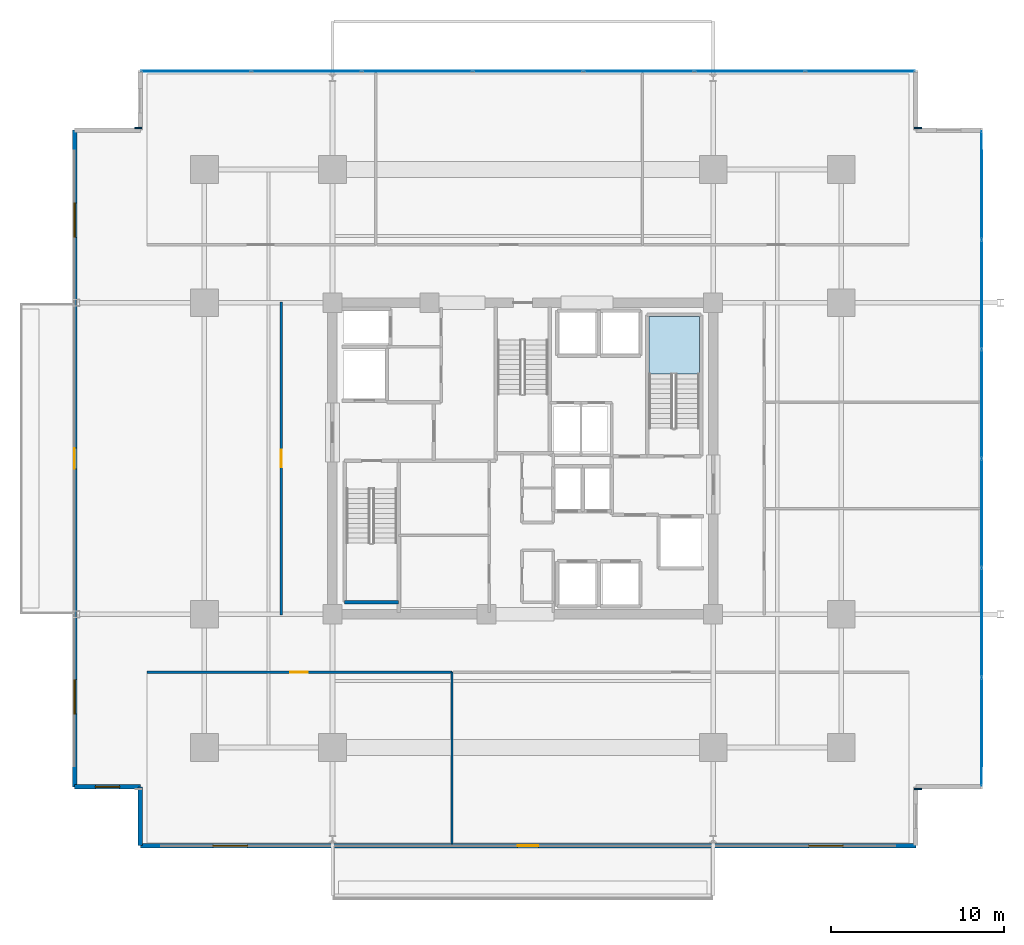
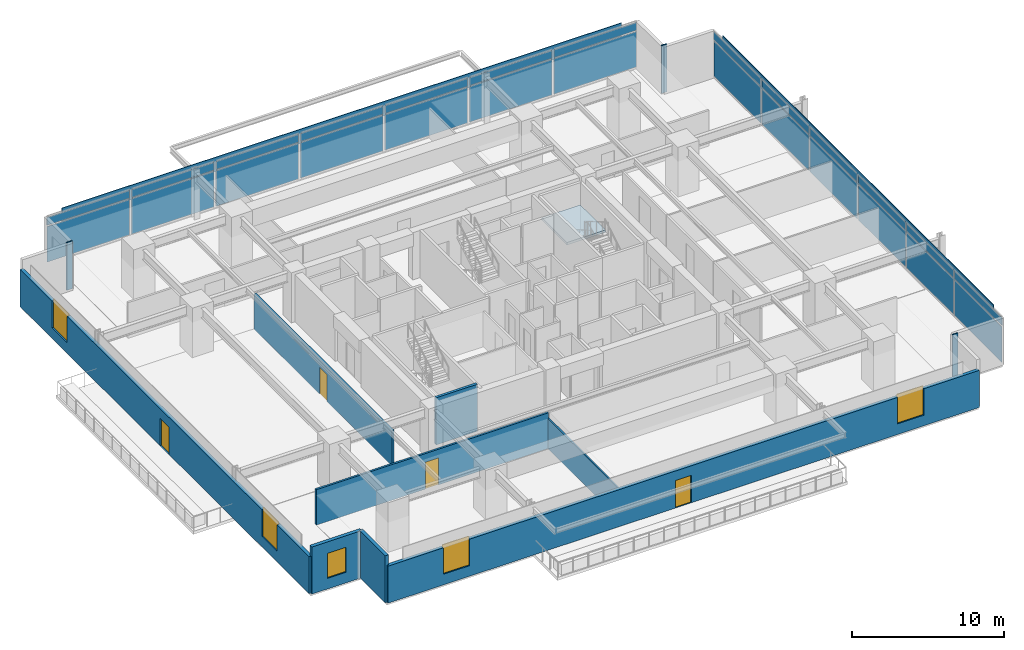
# One storey, part 15 of 24: 31 plates, 8 walls, 5 windows, 4 doors, 1 slab, 9 openings, 3 elements without a shape of their own.
"""IFC4 building model written with IfcOpenShell, lengths in metres."""

from ifc_helpers import new_model, si_unit, direction, frame, frame_2d, origin, origin_2d, place, context, subcontext, project, spatial, polyline, rectangle, outline, extrude, material, layer, layer_set, type_object, element, fill, aggregate, save


model = new_model("IFC4")

# Units and contexts
model_context = context("Model", 3, precision=1e-05, world=origin(), true_north=direction((0.0, 1.0)))
body_context = subcontext(model_context, "Body", "Model", "MODEL_VIEW")
ifc_project = project(units=[si_unit("LENGTHUNIT", "METRE"), si_unit("AREAUNIT", "SQUARE_METRE"), si_unit("VOLUMEUNIT", "CUBIC_METRE"), si_unit("PLANEANGLEUNIT", "RADIAN"), si_unit("MASSUNIT", "GRAM", prefix="KILO")], contexts=[model_context])

# Site, building, storey
site_placement = place(None, origin())
site = spatial("IfcSite", under=ifc_project, at=site_placement, CompositionType="ELEMENT")
building_placement = place(site_placement, origin())
building = spatial("IfcBuilding", under=site, at=building_placement, Name="Kovane Verandah Tower", CompositionType="ELEMENT")
storey_placement = place(building_placement, frame((0.0, 0.0, 144.39990234375)))
storey = spatial("IfcBuildingStorey", under=building, at=storey_placement, Name="L33", CompositionType="ELEMENT", Elevation=144.39990234375)

# Curtain wall, plates
ifc_material_1 = material(Name="Champagne Anodised Aluminium Frame with Low-E Clear Laminated Glass", Category="aluminium")
curtain_wall_type = type_object("IfcCurtainWallType", Name="CW-SYS-03-MID", PredefinedType="NOTDEFINED", material=ifc_material_1)
curtain_wall_1_placement = place(storey_placement, origin())
curtain_wall_1 = element("IfcCurtainWall", 1, at=curtain_wall_1_placement, inside=storey, type_object=curtain_wall_type, Name="L33 E Unitised Curtain Wall", PredefinedType="NOTDEFINED")
ifc_material_2 = material(Name="Pale Champagne Anodised Aluminium Insulated Spandrel", Category="aluminium")
ifc_layer_1 = layer(ifc_material_2, 0.0400390625)
ifc_layer_set_1 = layer_set([ifc_layer_1], Name="Pale Champagne Anodised Aluminium Insulated Spandrel")
plate_type_1 = type_object("IfcPlateType", Name="PL-CW-SPD-40", PredefinedType="SHEET", material=ifc_layer_set_1)
plate_1_placement = place(storey_placement, frame((66.513916015625, 11.6875, 3.044921875), z_axis=(0.0, 0.0, 1.0), x_axis=(0.0, 1.0, 0.0)))
plate_1 = element("IfcPlate", 2, at=plate_1_placement, type_object=plate_type_1, Name="L33 E Unitised Curtain Wall Spandrel Panel 1", PredefinedType="SHEET", context=body_context, shape_type="SweptSolid", body=[
    extrude(rectangle(XDim=6.18505859375, YDim=0.0400390625, at=origin_2d()), origin(), (0.0, 0.0, 1.0), 0.639892578125),
])
plate_2_placement = place(storey_placement, frame((66.513916015625, 18.012451171875, 3.044921875), z_axis=(0.0, 0.0, 1.0), x_axis=(0.0, 1.0, 0.0)))
plate_2 = element("IfcPlate", 3, at=plate_2_placement, type_object=plate_type_1, Name="L33 E Unitised Curtain Wall Spandrel Panel 2", PredefinedType="SHEET", context=body_context, shape_type="SweptSolid", body=[
    extrude(rectangle(XDim=6.18505859375, YDim=0.0400390625, at=origin_2d()), origin(), (0.0, 0.0, 1.0), 0.639892578125),
])
plate_3_placement = place(storey_placement, frame((66.513916015625, 24.33740234375, 3.044921875), z_axis=(0.0, 0.0, 1.0), x_axis=(0.0, 1.0, 0.0)))
plate_3 = element("IfcPlate", 4, at=plate_3_placement, type_object=plate_type_1, Name="L33 E Unitised Curtain Wall Spandrel Panel 3", PredefinedType="SHEET", context=body_context, shape_type="SweptSolid", body=[
    extrude(rectangle(XDim=6.18505859375, YDim=0.0400390625, at=origin_2d()), origin(), (0.0, 0.0, 1.0), 0.639892578125),
])
plate_4_placement = place(storey_placement, frame((66.513916015625, 30.66259765625, 3.044921875), z_axis=(0.0, 0.0, 1.0), x_axis=(0.0, 1.0, 0.0)))
plate_4 = element("IfcPlate", 5, at=plate_4_placement, type_object=plate_type_1, Name="L33 E Unitised Curtain Wall Spandrel Panel 4", PredefinedType="SHEET", context=body_context, shape_type="SweptSolid", body=[
    extrude(rectangle(XDim=6.18505859375, YDim=0.0400390625, at=origin_2d()), origin(), (0.0, 0.0, 1.0), 0.639892578125),
])
plate_5_placement = place(storey_placement, frame((66.513916015625, 36.987548828125, 3.044921875), z_axis=(0.0, 0.0, 1.0), x_axis=(0.0, 1.0, 0.0)))
plate_5 = element("IfcPlate", 6, at=plate_5_placement, type_object=plate_type_1, Name="L33 E Unitised Curtain Wall Spandrel Panel 5", PredefinedType="SHEET", context=body_context, shape_type="SweptSolid", body=[
    extrude(rectangle(XDim=6.18505859375, YDim=0.0400390625, at=origin_2d()), origin(), (0.0, 0.0, 1.0), 0.639892578125),
])
plate_6_placement = place(storey_placement, frame((66.513916015625, 43.3125, 3.044921875), z_axis=(0.0, 0.0, 1.0), x_axis=(0.0, 1.0, 0.0)))
plate_6 = element("IfcPlate", 7, at=plate_6_placement, type_object=plate_type_1, Name="L33 E Unitised Curtain Wall Spandrel Panel 6", PredefinedType="SHEET", context=body_context, shape_type="SweptSolid", body=[
    extrude(rectangle(XDim=6.18505859375, YDim=0.0400390625, at=origin_2d()), origin(), (0.0, 0.0, 1.0), 0.639892578125),
])

curtain_wall_2_placement = place(storey_placement, origin())
curtain_wall_2 = element("IfcCurtainWall", 8, at=curtain_wall_2_placement, inside=storey, type_object=curtain_wall_type, Name="L33 N Unitised Curtain Wall", PredefinedType="NOTDEFINED")
plate_7_placement = place(storey_placement, frame((59.51220703125, 49.875, 3.044921875), z_axis=(0.0, 0.0, 1.0), x_axis=(-1.0, 0.0, 0.0)))
plate_7 = element("IfcPlate", 9, at=plate_7_placement, type_object=plate_type_1, Name="L33 N Unitised Curtain Wall Spandrel Panel 1", PredefinedType="SHEET", context=body_context, shape_type="SweptSolid", body=[
    extrude(rectangle(XDim=6.262939453125, YDim=0.0400390625, at=origin_2d()), origin(), (0.0, 0.0, 1.0), 0.639892578125),
])
plate_8_placement = place(storey_placement, frame((53.109375, 49.875, 3.044921875), z_axis=(0.0, 0.0, 1.0), x_axis=(-1.0, 0.0, 0.0)))
plate_8 = element("IfcPlate", 10, at=plate_8_placement, type_object=plate_type_1, Name="L33 N Unitised Curtain Wall Spandrel Panel 2", PredefinedType="SHEET", context=body_context, shape_type="SweptSolid", body=[
    extrude(rectangle(XDim=6.262939453125, YDim=0.0400390625, at=origin_2d()), origin(), (0.0, 0.0, 1.0), 0.639892578125),
])
plate_9_placement = place(storey_placement, frame((46.706298828125, 49.875, 3.044921875), z_axis=(0.0, 0.0, 1.0), x_axis=(-1.0, 0.0, 0.0)))
plate_9 = element("IfcPlate", 11, at=plate_9_placement, type_object=plate_type_1, Name="L33 N Unitised Curtain Wall Spandrel Panel 3", PredefinedType="SHEET", context=body_context, shape_type="SweptSolid", body=[
    extrude(rectangle(XDim=6.262939453125, YDim=0.0400390625, at=origin_2d()), origin(), (0.0, 0.0, 1.0), 0.639892578125),
])
plate_10_placement = place(storey_placement, frame((40.303466796875, 49.875, 3.044921875), z_axis=(0.0, 0.0, 1.0), x_axis=(-1.0, 0.0, 0.0)))
plate_10 = element("IfcPlate", 12, at=plate_10_placement, type_object=plate_type_1, Name="L33 N Unitised Curtain Wall Spandrel Panel 4", PredefinedType="SHEET", context=body_context, shape_type="SweptSolid", body=[
    extrude(rectangle(XDim=6.262939453125, YDim=0.0400390625, at=origin_2d()), origin(), (0.0, 0.0, 1.0), 0.639892578125),
])
plate_11_placement = place(storey_placement, frame((33.900390625, 49.875, 3.044921875), z_axis=(0.0, 0.0, 1.0), x_axis=(-1.0, 0.0, 0.0)))
plate_11 = element("IfcPlate", 13, at=plate_11_placement, type_object=plate_type_1, Name="L33 N Unitised Curtain Wall Spandrel Panel 5", PredefinedType="SHEET", context=body_context, shape_type="SweptSolid", body=[
    extrude(rectangle(XDim=6.262939453125, YDim=0.0400390625, at=origin_2d()), origin(), (0.0, 0.0, 1.0), 0.639892578125),
])
plate_12_placement = place(storey_placement, frame((27.497314453125, 49.875, 3.044921875), z_axis=(0.0, 0.0, 1.0), x_axis=(-1.0, 0.0, 0.0)))
plate_12 = element("IfcPlate", 14, at=plate_12_placement, type_object=plate_type_1, Name="L33 N Unitised Curtain Wall Spandrel Panel 6", PredefinedType="SHEET", context=body_context, shape_type="SweptSolid", body=[
    extrude(rectangle(XDim=6.262939453125, YDim=0.0400390625, at=origin_2d()), origin(), (0.0, 0.0, 1.0), 0.639892578125),
])
plate_13_placement = place(storey_placement, frame((21.094482421875, 49.875, 3.044921875), z_axis=(0.0, 0.0, 1.0), x_axis=(-1.0, 0.0, 0.0)))
plate_13 = element("IfcPlate", 15, at=plate_13_placement, type_object=plate_type_1, Name="L33 N Unitised Curtain Wall Spandrel Panel 7", PredefinedType="SHEET", context=body_context, shape_type="SweptSolid", body=[
    extrude(rectangle(XDim=6.262939453125, YDim=0.0400390625, at=origin_2d()), origin(), (0.0, 0.0, 1.0), 0.639892578125),
])

# Plate
ifc_material_3 = material(Name="Clear Low-E Laminated Double Glazing", Category="glass")
ifc_layer_2 = layer(ifc_material_3, 0.031982421875)
ifc_layer_set_2 = layer_set([ifc_layer_2], Name="Clear Low-E Laminated Double Glazing")
plate_type_2 = type_object("IfcPlateType", Name="PL-CW-VIS-32", PredefinedType="CURTAIN_PANEL", material=ifc_layer_set_2)
plate_14_placement = place(storey_placement, frame((66.513916015625, 11.6875, 0.10009765625), z_axis=(0.0, 0.0, 1.0), x_axis=(0.0, 1.0, 0.0)))
plate_14 = element("IfcPlate", 16, at=plate_14_placement, type_object=plate_type_2, Name="L33 E Unitised Curtain Wall Vision Panel 1", PredefinedType="CURTAIN_PANEL", context=body_context, shape_type="SweptSolid", body=[
    extrude(rectangle(XDim=6.18505859375, YDim=0.031982421875, at=origin_2d()), origin(), (0.0, 0.0, 1.0), 2.844970703125),
])

plate_15_placement = place(storey_placement, frame((66.513916015625, 18.012451171875, 0.10009765625), z_axis=(0.0, 0.0, 1.0), x_axis=(0.0, 1.0, 0.0)))
plate_15 = element("IfcPlate", 17, at=plate_15_placement, type_object=plate_type_2, Name="L33 E Unitised Curtain Wall Vision Panel 2", PredefinedType="CURTAIN_PANEL", context=body_context, shape_type="SweptSolid", body=[
    extrude(rectangle(XDim=6.18505859375, YDim=0.031982421875, at=origin_2d()), origin(), (0.0, 0.0, 1.0), 2.844970703125),
])

plate_16_placement = place(storey_placement, frame((66.513916015625, 24.33740234375, 0.10009765625), z_axis=(0.0, 0.0, 1.0), x_axis=(0.0, 1.0, 0.0)))
plate_16 = element("IfcPlate", 18, at=plate_16_placement, type_object=plate_type_2, Name="L33 E Unitised Curtain Wall Vision Panel 3", PredefinedType="CURTAIN_PANEL", context=body_context, shape_type="SweptSolid", body=[
    extrude(rectangle(XDim=6.18505859375, YDim=0.031982421875, at=origin_2d()), origin(), (0.0, 0.0, 1.0), 2.844970703125),
])

plate_17_placement = place(storey_placement, frame((66.513916015625, 30.66259765625, 0.10009765625), z_axis=(0.0, 0.0, 1.0), x_axis=(0.0, 1.0, 0.0)))
plate_17 = element("IfcPlate", 19, at=plate_17_placement, type_object=plate_type_2, Name="L33 E Unitised Curtain Wall Vision Panel 4", PredefinedType="CURTAIN_PANEL", context=body_context, shape_type="SweptSolid", body=[
    extrude(rectangle(XDim=6.18505859375, YDim=0.031982421875, at=origin_2d()), origin(), (0.0, 0.0, 1.0), 2.844970703125),
])

plate_18_placement = place(storey_placement, frame((66.513916015625, 36.987548828125, 0.10009765625), z_axis=(0.0, 0.0, 1.0), x_axis=(0.0, 1.0, 0.0)))
plate_18 = element("IfcPlate", 20, at=plate_18_placement, type_object=plate_type_2, Name="L33 E Unitised Curtain Wall Vision Panel 5", PredefinedType="CURTAIN_PANEL", context=body_context, shape_type="SweptSolid", body=[
    extrude(rectangle(XDim=6.18505859375, YDim=0.031982421875, at=origin_2d()), origin(), (0.0, 0.0, 1.0), 2.844970703125),
])

plate_19_placement = place(storey_placement, frame((66.513916015625, 43.3125, 0.10009765625), z_axis=(0.0, 0.0, 1.0), x_axis=(0.0, 1.0, 0.0)))
plate_19 = element("IfcPlate", 21, at=plate_19_placement, type_object=plate_type_2, Name="L33 E Unitised Curtain Wall Vision Panel 6", PredefinedType="CURTAIN_PANEL", context=body_context, shape_type="SweptSolid", body=[
    extrude(rectangle(XDim=6.18505859375, YDim=0.031982421875, at=origin_2d()), origin(), (0.0, 0.0, 1.0), 2.844970703125),
])

aggregate(curtain_wall_1, [plate_14, plate_1, plate_15, plate_2, plate_16, plate_3, plate_17, plate_4, plate_18, plate_5, plate_19, plate_6])

plate_20_placement = place(storey_placement, frame((59.51220703125, 49.875, 0.10009765625), z_axis=(0.0, 0.0, 1.0), x_axis=(-1.0, 0.0, 0.0)))
plate_20 = element("IfcPlate", 22, at=plate_20_placement, type_object=plate_type_2, Name="L33 N Unitised Curtain Wall Vision Panel 1", PredefinedType="CURTAIN_PANEL", context=body_context, shape_type="SweptSolid", body=[
    extrude(rectangle(XDim=6.262939453125, YDim=0.031982421875, at=origin_2d()), origin(), (0.0, 0.0, 1.0), 2.844970703125),
])

plate_21_placement = place(storey_placement, frame((53.109375, 49.875, 0.10009765625), z_axis=(0.0, 0.0, 1.0), x_axis=(-1.0, 0.0, 0.0)))
plate_21 = element("IfcPlate", 23, at=plate_21_placement, type_object=plate_type_2, Name="L33 N Unitised Curtain Wall Vision Panel 2", PredefinedType="CURTAIN_PANEL", context=body_context, shape_type="SweptSolid", body=[
    extrude(rectangle(XDim=6.262939453125, YDim=0.031982421875, at=origin_2d()), origin(), (0.0, 0.0, 1.0), 2.844970703125),
])

plate_22_placement = place(storey_placement, frame((46.706298828125, 49.875, 0.10009765625), z_axis=(0.0, 0.0, 1.0), x_axis=(-1.0, 0.0, 0.0)))
plate_22 = element("IfcPlate", 24, at=plate_22_placement, type_object=plate_type_2, Name="L33 N Unitised Curtain Wall Vision Panel 3", PredefinedType="CURTAIN_PANEL", context=body_context, shape_type="SweptSolid", body=[
    extrude(rectangle(XDim=6.262939453125, YDim=0.031982421875, at=origin_2d()), origin(), (0.0, 0.0, 1.0), 2.844970703125),
])

plate_23_placement = place(storey_placement, frame((40.303466796875, 49.875, 0.10009765625), z_axis=(0.0, 0.0, 1.0), x_axis=(-1.0, 0.0, 0.0)))
plate_23 = element("IfcPlate", 25, at=plate_23_placement, type_object=plate_type_2, Name="L33 N Unitised Curtain Wall Vision Panel 4", PredefinedType="CURTAIN_PANEL", context=body_context, shape_type="SweptSolid", body=[
    extrude(rectangle(XDim=6.262939453125, YDim=0.031982421875, at=origin_2d()), origin(), (0.0, 0.0, 1.0), 2.844970703125),
])

plate_24_placement = place(storey_placement, frame((33.900390625, 49.875, 0.10009765625), z_axis=(0.0, 0.0, 1.0), x_axis=(-1.0, 0.0, 0.0)))
plate_24 = element("IfcPlate", 26, at=plate_24_placement, type_object=plate_type_2, Name="L33 N Unitised Curtain Wall Vision Panel 5", PredefinedType="CURTAIN_PANEL", context=body_context, shape_type="SweptSolid", body=[
    extrude(rectangle(XDim=6.262939453125, YDim=0.031982421875, at=origin_2d()), origin(), (0.0, 0.0, 1.0), 2.844970703125),
])

plate_25_placement = place(storey_placement, frame((27.497314453125, 49.875, 0.10009765625), z_axis=(0.0, 0.0, 1.0), x_axis=(-1.0, 0.0, 0.0)))
plate_25 = element("IfcPlate", 27, at=plate_25_placement, type_object=plate_type_2, Name="L33 N Unitised Curtain Wall Vision Panel 6", PredefinedType="CURTAIN_PANEL", context=body_context, shape_type="SweptSolid", body=[
    extrude(rectangle(XDim=6.262939453125, YDim=0.031982421875, at=origin_2d()), origin(), (0.0, 0.0, 1.0), 2.844970703125),
])

plate_26_placement = place(storey_placement, frame((21.094482421875, 49.875, 0.10009765625), z_axis=(0.0, 0.0, 1.0), x_axis=(-1.0, 0.0, 0.0)))
plate_26 = element("IfcPlate", 28, at=plate_26_placement, type_object=plate_type_2, Name="L33 N Unitised Curtain Wall Vision Panel 7", PredefinedType="CURTAIN_PANEL", context=body_context, shape_type="SweptSolid", body=[
    extrude(rectangle(XDim=6.262939453125, YDim=0.031982421875, at=origin_2d()), origin(), (0.0, 0.0, 1.0), 2.844970703125),
])

aggregate(curtain_wall_2, [plate_20, plate_7, plate_21, plate_8, plate_22, plate_9, plate_23, plate_10, plate_24, plate_11, plate_25, plate_12, plate_26, plate_13])

# Plates
ifc_material_4 = material(Name="Timber-Toned Subtropical Aluminium Vertical Blade", Category="wood")
ifc_layer_3 = layer(ifc_material_4, 0.090087890625)
ifc_layer_set_3 = layer_set([ifc_layer_3], Name="Timber-Toned Subtropical Aluminium Vertical Blade")
plate_type_3 = type_object("IfcPlateType", Name="PL-FIN-90", PredefinedType="USERDEFINED", material=ifc_layer_set_3)
for number, where, z_axis, x_axis, name in (
    (29, (62.833740234375, 8.405029296875, -0.019775390625), (0.0, 0.0, 1.0), (1.0, 0.0, 0.0), "L33 SE Timber-Toned Vertical Corner Fin"),
    (30, (62.833740234375, 46.594970703125, -0.019775390625), (0.0, 0.0, 1.0), (1.0, 0.0, 0.0), "L33 NE Timber-Toned Vertical Corner Fin"),
    (31, (17.77294921875, 46.594970703125, -0.019775390625), (0.0, 0.0, 1.0), (1.0, 0.0, 0.0), "L33 NW Timber-Toned Vertical Corner Fin"),
):
    element("IfcPlate", number, at=place(storey_placement, frame(where, z_axis=z_axis, x_axis=x_axis)), inside=storey, type_object=plate_type_3, Name=name, ObjectType="FIN", PredefinedType="USERDEFINED", context=body_context, shape_type="SweptSolid", body=[
        extrude(rectangle(XDim=0.419921875, YDim=0.090087890625, at=origin_2d()), origin(), (0.0, 0.0, 1.0), 3.8349609375),
    ])
ifc_material_5 = material(Name="Perforated Pale Champagne Anodised Aluminium Solar Screen", Category="aluminium")
ifc_layer_4 = layer(ifc_material_5, 0.050048828125)
ifc_layer_set_4 = layer_set([ifc_layer_4], Name="Perforated Pale Champagne Anodised Aluminium Solar Screen")
plate_type_4 = type_object("IfcPlateType", Name="PL-SCREEN-50", PredefinedType="USERDEFINED", material=ifc_layer_set_4)
plate_27_placement = place(storey_placement, frame((66.52880859375, 27.5, 2.875244140625), z_axis=(0.0, 0.0, 1.0), x_axis=(0.0, 1.0, 0.0)))
element("IfcPlate", 32, at=plate_27_placement, inside=storey, type_object=plate_type_4, Name="L33 E Perforated Champagne-Gold Solar Screen", ObjectType="SCREEN", PredefinedType="USERDEFINED", context=body_context, shape_type="SweptSolid", body=[
    extrude(rectangle(XDim=35.550048828125, YDim=0.050048828125, at=origin_2d()), origin(), (0.0, 0.0, 1.0), 1.14990234375),
])
plate_28_placement = place(storey_placement, frame((40.303466796875, 49.889892578125, 2.875244140625), z_axis=(0.0, 0.0, 1.0), x_axis=(-1.0, 0.0, 0.0)))
element("IfcPlate", 33, at=plate_28_placement, inside=storey, type_object=plate_type_4, Name="L33 N Perforated Champagne-Gold Solar Screen", ObjectType="SCREEN", PredefinedType="USERDEFINED", context=body_context, shape_type="SweptSolid", body=[
    extrude(rectangle(XDim=42.4208984375, YDim=0.050048828125, at=origin_2d()), origin(), (0.0, 0.0, 1.0), 1.14990234375),
])

# Stair, slab
ifc_material_6 = material(Name="Concrete C45/55", Category="concrete")
stair_type = type_object("IfcStairType", Name="ST-CORE-1380", PredefinedType="HALF_TURN_STAIR", material=ifc_material_6)
stair_placement = place(storey_placement, origin())
stair = element("IfcStair", 34, at=stair_placement, inside=storey, type_object=stair_type, Name="L33 Exit Stair ST-02", PredefinedType="HALF_TURN_STAIR")
ifc_layer_5 = layer(ifc_material_6, 0.199951171875)
ifc_layer_set_5 = layer_set([ifc_layer_5], Name="Concrete C45/55")
slab_type = type_object("IfcSlabType", Name="SL-LAND-200", PredefinedType="LANDING", material=ifc_layer_set_5)
slab_placement = place(storey_placement, frame((0.0, 0.0, 1.800048828125)))
slab = element("IfcSlab", 35, at=slab_placement, type_object=slab_type, Name="ST-02 landing 1", PredefinedType="LANDING", context=body_context, shape_type="SweptSolid", body=[
    extrude(outline(polyline([(50.199951171875, 32.385009765625), (50.199951171875, 35.699951171875), (47.280029296875, 35.699951171875), (47.280029296875, 32.385009765625), (50.199951171875, 32.385009765625)])), origin(), (0.0, 0.0, 1.0), 0.199951171875),
])
aggregate(stair, [slab])

# Wall, opening, door
ifc_material_7 = material(Name="Fire-Rated Gypsum Stud Partition", Category="gypsum")
ifc_layer_6 = layer(ifc_material_7, 0.14990234375)
ifc_layer_set_6 = layer_set([ifc_layer_6], Name="Fire-Rated Gypsum Stud Partition")
wall_type_1 = type_object("IfcWallType", Name="WL-COR-150", PredefinedType="PARTITIONING", material=ifc_layer_set_6)
wall_1_placement = place(storey_placement, frame((18.29296875, 15.14990234375, 0.0), z_axis=(0.0, 0.0, 1.0), x_axis=(1.0, 0.0, 0.0)))
wall_1 = element("IfcWall", 36, at=wall_1_placement, inside=storey, type_object=wall_type_1, Name="L33 Breakout Pantry S1 Corridor Partition", PredefinedType="PARTITIONING", context=body_context, shape_type="SweptSolid", body=[
    extrude(rectangle(XDim=17.6083984375, YDim=0.14990234375, at=frame_2d((8.80419921875, 0.0))), origin(), (0.0, 0.0, 1.0), 2.85009765625),
])
opening_1_placement = place(wall_1_placement, frame((8.269287109375, 0.0, 0.0)))
opening_1 = element("IfcOpeningElement", 37, at=opening_1_placement, cuts=wall_1, Name="Opening DR-L33-022", PredefinedType="OPENING", context=body_context, shape_type="SweptSolid", body=[
    extrude(rectangle(XDim=1.0, YDim=2.14990234375, at=frame_2d((0.5, 1.074951171875))), frame((0.0, 0.074951171875, 0.0), z_axis=(0.0, -1.0, 0.0), x_axis=(1.0, 0.0, 0.0)), (0.0, 0.0, 1.0), 0.14990234375),
])
ifc_material_8 = material(Name="FSC Spotted-Gum Timber Fire-Rated Office Door", Category="wood")
door_type_1 = type_object("IfcDoorType", Name="DR-OFF-1000", OperationType="SINGLE_SWING_LEFT", PredefinedType="DOOR", material=ifc_material_8)
door_1_placement = place(opening_1_placement, origin())
door_1 = element("IfcDoor", 38, at=door_1_placement, inside=storey, type_object=door_type_1, Name="L33 Breakout Pantry S1 Entrance Door", OperationType="SINGLE_SWING_LEFT", OverallHeight=2.14990234375, OverallWidth=1.0, PredefinedType="DOOR", context=body_context, shape_type="SweptSolid", body=[
    extrude(rectangle(XDim=1.0, YDim=2.14990234375, at=frame_2d((0.5, 1.074951171875))), frame((0.0, 0.02490234375, 0.0), z_axis=(0.0, -1.0, 0.0), x_axis=(1.0, 0.0, 0.0)), (0.0, 0.0, 1.0), 0.050048828125),
])
fill(opening_1, door_1)

wall_2_placement = place(storey_placement, frame((26.050048828125, 18.449951171875, 0.0), z_axis=(0.0, 0.0, 1.0), x_axis=(0.0, 1.0, 0.0)))
wall_2 = element("IfcWall", 39, at=wall_2_placement, inside=storey, type_object=wall_type_1, Name="L33 Document and Print Room W1 Corridor Partition", PredefinedType="PARTITIONING", context=body_context, shape_type="SweptSolid", body=[
    extrude(rectangle(XDim=18.10009765625, YDim=0.14990234375, at=frame_2d((9.050048828125, 0.0))), origin(), (0.0, 0.0, 1.0), 2.85009765625),
])
opening_2_placement = place(wall_2_placement, frame((8.550048828125, 0.0, 0.0)))
opening_2 = element("IfcOpeningElement", 40, at=opening_2_placement, cuts=wall_2, Name="Opening DR-L33-028", PredefinedType="OPENING", context=body_context, shape_type="SweptSolid", body=[
    extrude(rectangle(XDim=1.0, YDim=2.14990234375, at=frame_2d((0.5, 1.074951171875))), frame((0.0, 0.074951171875, 0.0), z_axis=(0.0, -1.0, 0.0), x_axis=(1.0, 0.0, 0.0)), (0.0, 0.0, 1.0), 0.14990234375),
])
door_2_placement = place(opening_2_placement, origin())
door_2 = element("IfcDoor", 41, at=door_2_placement, inside=storey, type_object=door_type_1, Name="L33 Document and Print Room W1 Entrance Door", OperationType="SINGLE_SWING_LEFT", OverallHeight=2.14990234375, OverallWidth=1.0, PredefinedType="DOOR", context=body_context, shape_type="SweptSolid", body=[
    extrude(rectangle(XDim=1.0, YDim=2.14990234375, at=frame_2d((0.5, 1.074951171875))), frame((0.0, 0.02490234375, 0.0), z_axis=(0.0, -1.0, 0.0), x_axis=(1.0, 0.0, 0.0)), (0.0, 0.0, 1.0), 0.050048828125),
])
fill(opening_2, door_2)

# Walls
ifc_material_9 = material(Name="Acoustic Fire-Rated Gypsum Partition", Category="gypsum")
ifc_layer_7 = layer(ifc_material_9, 0.1201171875)
ifc_layer_set_7 = layer_set([ifc_layer_7], Name="Acoustic Fire-Rated Gypsum Partition")
wall_type_2 = type_object("IfcWallType", Name="WL-PART-120", PredefinedType="PARTITIONING", material=ifc_layer_set_7)
wall_3_placement = place(storey_placement, frame((35.9013671875, 5.22509765625, 0.0), z_axis=(0.0, 0.0, 1.0), x_axis=(0.0, 1.0, 0.0)))
element("IfcWall", 42, at=wall_3_placement, inside=storey, type_object=wall_type_2, Name="L33 Breakout Pantry S1 Dividing Partition", PredefinedType="PARTITIONING", context=body_context, shape_type="SweptSolid", body=[
    extrude(rectangle(XDim=9.9248046875, YDim=0.1201171875, at=frame_2d((4.96240234375, 0.0))), origin(), (0.0, 0.0, 1.0), 2.405029296875),
])
ifc_layer_8 = layer(ifc_material_6, 0.199951171875)
ifc_layer_set_8 = layer_set([ifc_layer_8], Name="Concrete C45/55")
wall_type_3 = type_object("IfcWallType", Name="WL-SHAFT-200", PredefinedType="SOLIDWALL", material=ifc_layer_set_8)
wall_4_placement = place(storey_placement, frame((29.699951171875, 19.199951171875, 0.0), z_axis=(0.0, 0.0, 1.0), x_axis=(1.0, 0.0, 0.0)))
element("IfcWall", 43, at=wall_4_placement, inside=storey, type_object=wall_type_3, Name="W-L33-ST01-S", PredefinedType="SOLIDWALL", context=body_context, shape_type="SweptSolid", body=[
    extrude(rectangle(XDim=3.1201171875, YDim=0.199951171875, at=frame_2d((1.56005859375, 0.0))), origin(), (0.0, 0.0, 1.0), 3.775146484375),
])

# Wall, openings, door, windows
ifc_material_10 = material(Name="Concrete C45/55 Insulated Spandrel Wall", Category="concrete")
ifc_layer_9 = layer(ifc_material_10, 0.260009765625)
ifc_layer_set_9 = layer_set([ifc_layer_9], Name="Concrete C45/55 Insulated Spandrel Wall")
wall_type_4 = type_object("IfcWallType", Name="WL-SPANDREL-260", PredefinedType="PARAPET", material=ifc_layer_set_9)
wall_5_placement = place(storey_placement, frame((17.892822265625, 5.125, 0.0), z_axis=(0.0, 0.0, 1.0), x_axis=(1.0, 0.0, 0.0)))
wall_5 = element("IfcWall", 44, at=wall_5_placement, inside=storey, type_object=wall_type_4, Name="L33 S Verandah Access Facade Wall", PredefinedType="PARAPET", context=body_context, shape_type="SweptSolid", body=[
    extrude(rectangle(XDim=44.821044921875, YDim=0.260009765625, at=frame_2d((22.41064453125, 0.0))), origin(), (0.0, 0.0, 1.0), 2.97021484375),
])
opening_3_placement = place(wall_5_placement, frame((4.199951171875, 0.0, 0.85009765625)))
opening_3 = element("IfcOpeningElement", 45, at=opening_3_placement, cuts=wall_5, Name="Opening W-04", PredefinedType="OPENING", context=body_context, shape_type="SweptSolid", body=[
    extrude(rectangle(XDim=2.0, YDim=2.300048828125, at=frame_2d((1.0, 1.14990234375))), frame((0.0, 0.1298828125, 0.0), z_axis=(0.0, -1.0, 0.0), x_axis=(1.0, 0.0, 0.0)), (0.0, 0.0, 1.0), 0.260009765625),
])
opening_4_placement = place(wall_5_placement, frame((21.810546875, 0.0, 0.0)))
opening_4 = element("IfcOpeningElement", 46, at=opening_4_placement, cuts=wall_5, Name="Opening DR-L33-001", PredefinedType="OPENING", context=body_context, shape_type="SweptSolid", body=[
    extrude(rectangle(XDim=1.199951171875, YDim=2.199951171875, at=frame_2d((0.60009765625, 1.10009765625))), frame((0.0, 0.1298828125, 0.0), z_axis=(0.0, -1.0, 0.0), x_axis=(1.0, 0.0, 0.0)), (0.0, 0.0, 1.0), 0.260009765625),
])
opening_5_placement = place(wall_5_placement, frame((38.620849609375, 0.0, 0.85009765625)))
opening_5 = element("IfcOpeningElement", 47, at=opening_5_placement, cuts=wall_5, Name="Opening W-04", PredefinedType="OPENING", context=body_context, shape_type="SweptSolid", body=[
    extrude(rectangle(XDim=2.0, YDim=2.300048828125, at=frame_2d((1.0, 1.14990234375))), frame((0.0, 0.1298828125, 0.0), z_axis=(0.0, -1.0, 0.0), x_axis=(1.0, 0.0, 0.0)), (0.0, 0.0, 1.0), 0.260009765625),
])
ifc_material_11 = material(Name="Cyclone-Rated Glazed Balcony Leaf Door", Category="aluminium")
door_type_2 = type_object("IfcDoorType", Name="DR-BAL-1200x2200", OperationType="SINGLE_SWING_LEFT", PredefinedType="DOOR", material=ifc_material_11)
door_3_placement = place(opening_4_placement, origin())
door_3 = element("IfcDoor", 48, at=door_3_placement, inside=storey, type_object=door_type_2, Name="L33 S Planted Balcony Access Door", OperationType="SINGLE_SWING_LEFT", OverallHeight=2.199951171875, OverallWidth=1.199951171875, PredefinedType="DOOR", context=body_context, shape_type="SweptSolid", body=[
    extrude(rectangle(XDim=1.199951171875, YDim=2.199951171875, at=frame_2d((0.60009765625, 1.10009765625))), frame((0.0, 0.02490234375, 0.0), z_axis=(0.0, -1.0, 0.0), x_axis=(1.0, 0.0, 0.0)), (0.0, 0.0, 1.0), 0.050048828125),
])
fill(opening_4, door_3)
ifc_material_12 = material(Name="Clear Low-E Laminated Double Glazing in Anodised Frame", Category="glass")
window_type_1 = type_object("IfcWindowType", Name="WN-FIXED-2000x2300", PartitioningType="SINGLE_PANEL", PredefinedType="WINDOW", material=ifc_material_12)
window_1_placement = place(opening_3_placement, origin())
window_1 = element("IfcWindow", 49, at=window_1_placement, inside=storey, type_object=window_type_1, Name="L33 S Verandah View Window 1", OverallHeight=2.300048828125, OverallWidth=2.0, PartitioningType="SINGLE_PANEL", PredefinedType="WINDOW", context=body_context, shape_type="SweptSolid", body=[
    extrude(rectangle(XDim=2.0, YDim=2.300048828125, at=frame_2d((1.0, 1.14990234375))), frame((0.0, 0.030029296875, 0.0), z_axis=(0.0, -1.0, 0.0), x_axis=(1.0, 0.0, 0.0)), (0.0, 0.0, 1.0), 0.06005859375),
])
fill(opening_3, window_1)
window_2_placement = place(opening_5_placement, origin())
window_2 = element("IfcWindow", 50, at=window_2_placement, inside=storey, type_object=window_type_1, Name="L33 S Verandah View Window 2", OverallHeight=2.300048828125, OverallWidth=2.0, PartitioningType="SINGLE_PANEL", PredefinedType="WINDOW", context=body_context, shape_type="SweptSolid", body=[
    extrude(rectangle(XDim=2.0, YDim=2.300048828125, at=frame_2d((1.0, 1.14990234375))), frame((0.0, 0.030029296875, 0.0), z_axis=(0.0, -1.0, 0.0), x_axis=(1.0, 0.0, 0.0)), (0.0, 0.0, 1.0), 0.06005859375),
])
fill(opening_5, window_2)

wall_6_placement = place(storey_placement, frame((14.093017578125, 46.47509765625, 0.0), z_axis=(0.0, 0.0, 1.0), x_axis=(0.0, -1.0, 0.0)))
wall_6 = element("IfcWall", 51, at=wall_6_placement, inside=storey, type_object=wall_type_4, Name="L33 W Verandah Access Facade Wall", PredefinedType="PARAPET", context=body_context, shape_type="SweptSolid", body=[
    extrude(rectangle(XDim=37.9501953125, YDim=0.260009765625, at=frame_2d((18.97509765625, 0.0))), origin(), (0.0, 0.0, 1.0), 2.97021484375),
])
opening_6_placement = place(wall_6_placement, frame((4.199951171875, 0.0, 0.85009765625)))
opening_6 = element("IfcOpeningElement", 52, at=opening_6_placement, cuts=wall_6, Name="Opening W-04", PredefinedType="OPENING", context=body_context, shape_type="SweptSolid", body=[
    extrude(rectangle(XDim=2.0, YDim=2.300048828125, at=frame_2d((1.0, 1.14990234375))), frame((0.0, 0.1298828125, 0.0), z_axis=(0.0, -1.0, 0.0), x_axis=(1.0, 0.0, 0.0)), (0.0, 0.0, 1.0), 0.260009765625),
])
opening_7_placement = place(wall_6_placement, frame((18.375, 0.0, 0.0)))
opening_7 = element("IfcOpeningElement", 53, at=opening_7_placement, cuts=wall_6, Name="Opening DR-L33-002", PredefinedType="OPENING", context=body_context, shape_type="SweptSolid", body=[
    extrude(rectangle(XDim=1.199951171875, YDim=2.199951171875, at=frame_2d((0.60009765625, 1.10009765625))), frame((0.0, 0.1298828125, 0.0), z_axis=(0.0, -1.0, 0.0), x_axis=(1.0, 0.0, 0.0)), (0.0, 0.0, 1.0), 0.260009765625),
])
opening_8_placement = place(wall_6_placement, frame((31.75, 0.0, 0.85009765625)))
opening_8 = element("IfcOpeningElement", 54, at=opening_8_placement, cuts=wall_6, Name="Opening W-04", PredefinedType="OPENING", context=body_context, shape_type="SweptSolid", body=[
    extrude(rectangle(XDim=2.0, YDim=2.300048828125, at=frame_2d((1.0, 1.14990234375))), frame((0.0, 0.1298828125, 0.0), z_axis=(0.0, -1.0, 0.0), x_axis=(1.0, 0.0, 0.0)), (0.0, 0.0, 1.0), 0.260009765625),
])
door_4_placement = place(opening_7_placement, origin())
door_4 = element("IfcDoor", 55, at=door_4_placement, inside=storey, type_object=door_type_2, Name="L33 W Planted Balcony Access Door", OperationType="SINGLE_SWING_LEFT", OverallHeight=2.199951171875, OverallWidth=1.199951171875, PredefinedType="DOOR", context=body_context, shape_type="SweptSolid", body=[
    extrude(rectangle(XDim=1.199951171875, YDim=2.199951171875, at=frame_2d((0.60009765625, 1.10009765625))), frame((0.0, 0.02490234375, 0.0), z_axis=(0.0, -1.0, 0.0), x_axis=(1.0, 0.0, 0.0)), (0.0, 0.0, 1.0), 0.050048828125),
])
fill(opening_7, door_4)
window_3_placement = place(opening_6_placement, origin())
window_3 = element("IfcWindow", 56, at=window_3_placement, inside=storey, type_object=window_type_1, Name="L33 W Verandah View Window 1", OverallHeight=2.300048828125, OverallWidth=2.0, PartitioningType="SINGLE_PANEL", PredefinedType="WINDOW", context=body_context, shape_type="SweptSolid", body=[
    extrude(rectangle(XDim=2.0, YDim=2.300048828125, at=frame_2d((1.0, 1.14990234375))), frame((0.0, 0.030029296875, 0.0), z_axis=(0.0, -1.0, 0.0), x_axis=(1.0, 0.0, 0.0)), (0.0, 0.0, 1.0), 0.06005859375),
])
fill(opening_6, window_3)
window_4_placement = place(opening_8_placement, origin())
window_4 = element("IfcWindow", 57, at=window_4_placement, inside=storey, type_object=window_type_1, Name="L33 W Verandah View Window 2", OverallHeight=2.300048828125, OverallWidth=2.0, PartitioningType="SINGLE_PANEL", PredefinedType="WINDOW", context=body_context, shape_type="SweptSolid", body=[
    extrude(rectangle(XDim=2.0, YDim=2.300048828125, at=frame_2d((1.0, 1.14990234375))), frame((0.0, 0.030029296875, 0.0), z_axis=(0.0, -1.0, 0.0), x_axis=(1.0, 0.0, 0.0)), (0.0, 0.0, 1.0), 0.06005859375),
])
fill(opening_8, window_4)

# Wall, opening, window
wall_7_placement = place(storey_placement, frame((14.093017578125, 8.52490234375, 0.0), z_axis=(0.0, 0.0, 1.0), x_axis=(1.0, 0.0, 0.0)))
wall_7 = element("IfcWall", 58, at=wall_7_placement, inside=storey, type_object=wall_type_4, Name="L33 SW Notch Cheek Wall 1", PredefinedType="PARAPET", context=body_context, shape_type="SweptSolid", body=[
    extrude(rectangle(XDim=3.7998046875, YDim=0.260009765625, at=frame_2d((1.89990234375, 0.0))), origin(), (0.0, 0.0, 1.0), 3.775146484375),
])
opening_9_placement = place(wall_7_placement, frame((1.199951171875, 0.0, 0.85009765625)))
opening_9 = element("IfcOpeningElement", 59, at=opening_9_placement, cuts=wall_7, Name="Opening W-01", PredefinedType="OPENING", context=body_context, shape_type="SweptSolid", body=[
    extrude(rectangle(XDim=1.39990234375, YDim=2.0, at=frame_2d((0.699951171875, 1.0))), frame((0.0, 0.1298828125, 0.0), z_axis=(0.0, -1.0, 0.0), x_axis=(1.0, 0.0, 0.0)), (0.0, 0.0, 1.0), 0.260009765625),
])
window_type_2 = type_object("IfcWindowType", Name="WN-OPER-1400x2000", PartitioningType="SINGLE_PANEL", PredefinedType="WINDOW", material=ifc_material_12)
window_5_placement = place(opening_9_placement, origin())
window_5 = element("IfcWindow", 60, at=window_5_placement, inside=storey, type_object=window_type_2, Name="L33 SW Re-Entrant Corner Operable Window", OverallHeight=2.0, OverallWidth=1.39990234375, PartitioningType="SINGLE_PANEL", PredefinedType="WINDOW", context=body_context, shape_type="SweptSolid", body=[
    extrude(rectangle(XDim=1.39990234375, YDim=2.0, at=frame_2d((0.699951171875, 1.0))), frame((0.0, 0.030029296875, 0.0), z_axis=(0.0, -1.0, 0.0), x_axis=(1.0, 0.0, 0.0)), (0.0, 0.0, 1.0), 0.06005859375),
])
fill(opening_9, window_5)

# Wall
wall_8_placement = place(storey_placement, frame((17.892822265625, 8.52490234375, 0.0), z_axis=(0.0, 0.0, 1.0), x_axis=(0.0, -1.0, 0.0)))
element("IfcWall", 61, at=wall_8_placement, inside=storey, type_object=wall_type_4, Name="L33 SW Notch Cheek Wall 2", PredefinedType="PARAPET", context=body_context, shape_type="SweptSolid", body=[
    extrude(rectangle(XDim=3.39990234375, YDim=0.260009765625, at=frame_2d((1.699951171875, 0.0))), origin(), (0.0, 0.0, 1.0), 3.775146484375),
])

save(model, "model.ifc")
